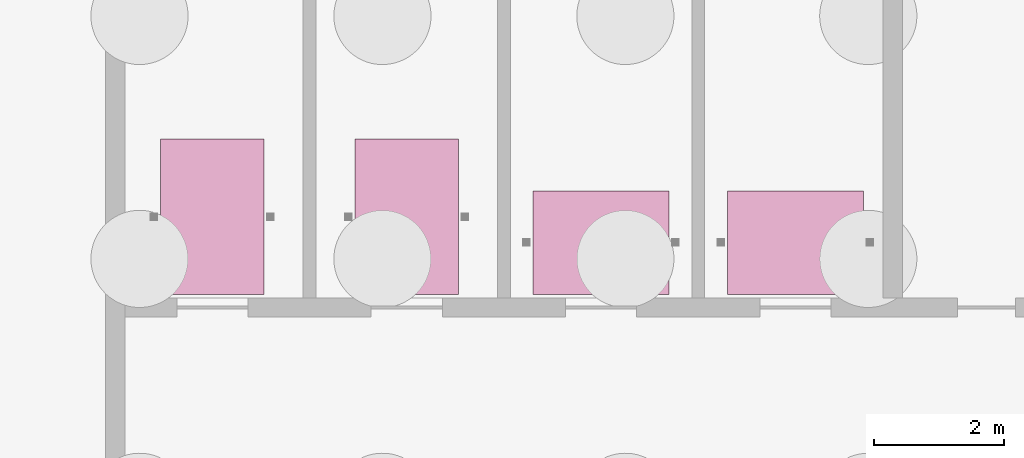
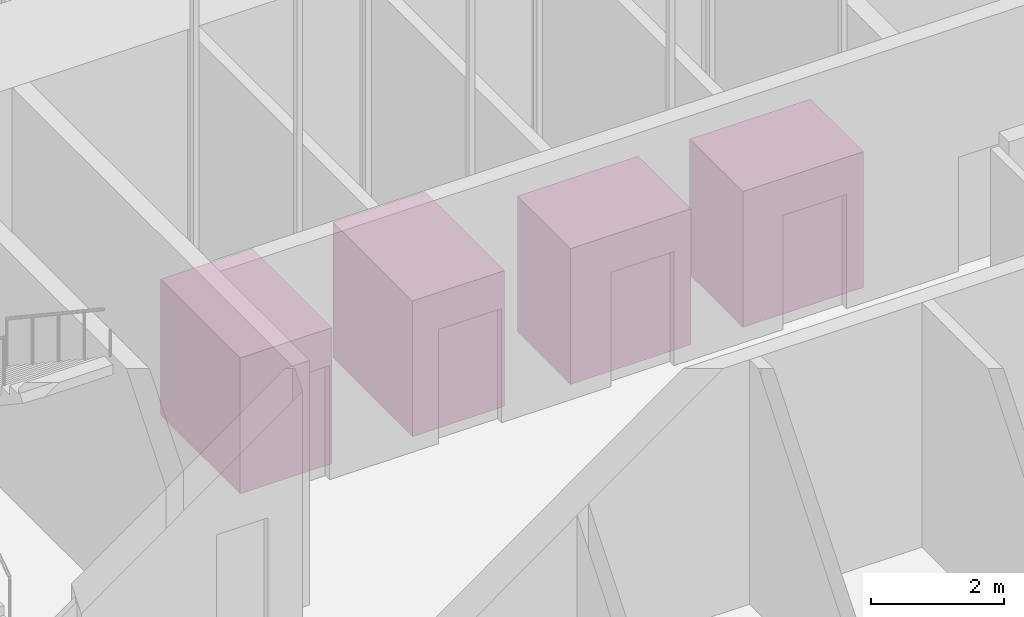
# One storey, part 7 of 11: 4 transport elements.
"""IFC4 building model written with IfcOpenShell, lengths in metres."""

from ifc_helpers import new_model, si_unit, direction, frame, origin, origin_2d, place, context, subcontext, project, spatial, rectangle, extrude, material, type_object, element, save


model = new_model("IFC4")

# Units and contexts
model_context = context("Model", 3, precision=1e-05, world=origin(), true_north=direction((0.0, 1.0)))
body_context = subcontext(model_context, "Body", "Model", "MODEL_VIEW")
ifc_project = project(units=[si_unit("LENGTHUNIT", "METRE"), si_unit("AREAUNIT", "SQUARE_METRE"), si_unit("VOLUMEUNIT", "CUBIC_METRE"), si_unit("PLANEANGLEUNIT", "RADIAN"), si_unit("MASSUNIT", "GRAM", prefix="KILO")], contexts=[model_context])

# Site, building, storey
site_placement = place(None, origin())
site = spatial("IfcSite", under=ifc_project, at=site_placement, CompositionType="ELEMENT")
building_placement = place(site_placement, origin())
building = spatial("IfcBuilding", under=site, at=building_placement, Name="Highveld Stack Headquarters", CompositionType="ELEMENT")
storey_placement = place(building_placement, frame((0.0, 0.0, -9.0)))
storey = spatial("IfcBuildingStorey", under=building, at=storey_placement, Name="B2", CompositionType="ELEMENT", Elevation=-9.0)

# Transport elements
ifc_material_1 = material(Name="Stainless steel lift car", Category="steel")
transport_element_type_1 = type_object("IfcTransportElementType", Name="FIREFIGHTING LIFT CAR 1600x2400", PredefinedType="ELEVATOR", material=ifc_material_1)
for number, where, z_axis, x_axis, name in (
    (1, (1.5, 7.39990234375, 0.0), (0.0, 0.0, 1.0), (1.0, 0.0, 0.0), "Lift FF1"),
    (2, (4.5, 7.39990234375, 0.0), (0.0, 0.0, 1.0), (1.0, 0.0, 0.0), "Lift FF2"),
):
    element("IfcTransportElement", number, at=place(storey_placement, frame(where, z_axis=z_axis, x_axis=x_axis)), inside=storey, type_object=transport_element_type_1, Name=name, PredefinedType="ELEVATOR", context=body_context, shape_type="SweptSolid", body=[
        extrude(rectangle(XDim=1.60009765625, YDim=2.39990234375, at=origin_2d()), origin(), (0.0, 0.0, 1.0), 2.5),
    ])
ifc_material_2 = material(Name="Stainless steel lift car", Category="steel")
transport_element_type_2 = type_object("IfcTransportElementType", Name="PASSENGER LIFT CAR 2100x1600", PredefinedType="ELEVATOR", material=ifc_material_2)
for number, where, z_axis, x_axis, name in (
    (3, (7.5, 7.0, 0.0), (0.0, 0.0, 1.0), (1.0, 0.0, 0.0), "Lift A1"),
    (4, (10.5, 7.0, 0.0), (0.0, 0.0, 1.0), (1.0, 0.0, 0.0), "Lift A2"),
):
    element("IfcTransportElement", number, at=place(storey_placement, frame(where, z_axis=z_axis, x_axis=x_axis)), inside=storey, type_object=transport_element_type_2, Name=name, PredefinedType="ELEVATOR", context=body_context, shape_type="SweptSolid", body=[
        extrude(rectangle(XDim=2.10009765625, YDim=1.60009765625, at=origin_2d()), origin(), (0.0, 0.0, 1.0), 2.5),
    ])

save(model, "model.ifc")
